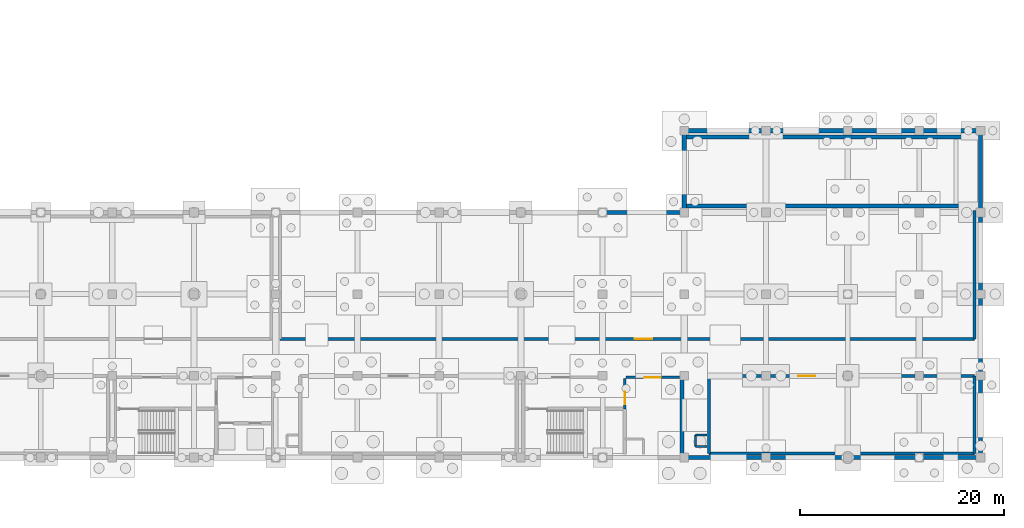
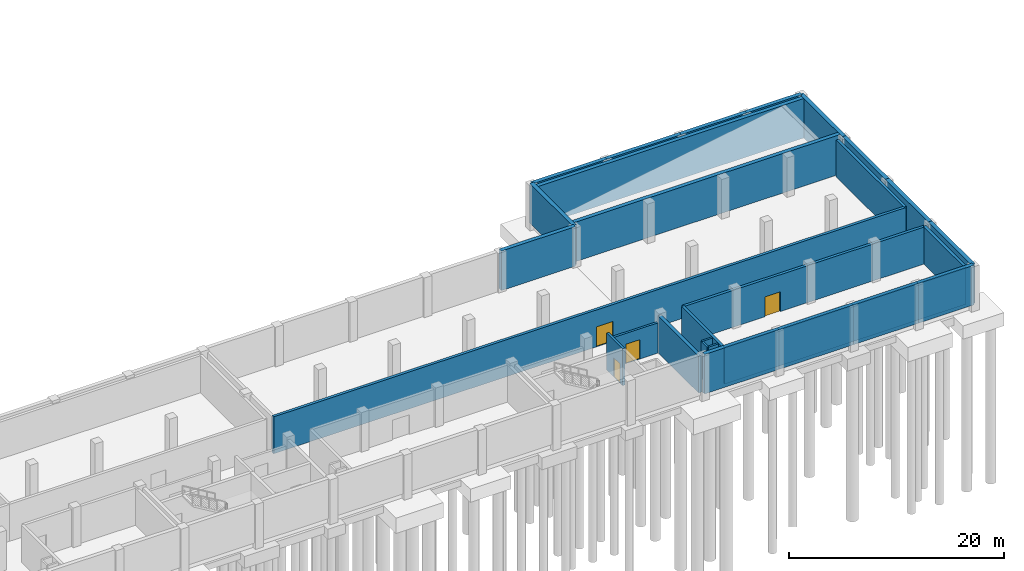
# One storey, part 18 of 26: 28 walls, 4 doors, 4 openings.
"""IFC4 building model written with IfcOpenShell, lengths in metres."""

from ifc_helpers import new_model, si_unit, direction, frame, frame_2d, origin, place, context, subcontext, project, spatial, rectangle, extrude, material, layer, layer_set, type_object, element, fill, save


model = new_model("IFC4")

# Units and contexts
model_context = context("Model", 3, precision=1e-05, world=origin(), true_north=direction((0.0, 1.0)))
body_context = subcontext(model_context, "Body", "Model", "MODEL_VIEW")
ifc_project = project(units=[si_unit("LENGTHUNIT", "METRE"), si_unit("AREAUNIT", "SQUARE_METRE"), si_unit("VOLUMEUNIT", "CUBIC_METRE"), si_unit("PLANEANGLEUNIT", "RADIAN"), si_unit("MASSUNIT", "GRAM", prefix="KILO")], contexts=[model_context])

# Site, building, storey
site_placement = place(None, origin())
site = spatial("IfcSite", under=ifc_project, at=site_placement, CompositionType="ELEMENT")
building_placement = place(site_placement, origin())
building = spatial("IfcBuilding", under=site, at=building_placement, Name="Qorikala Patio Media Centre", CompositionType="ELEMENT")
storey_placement = place(building_placement, frame((0.0, 0.0, -4.5)))
storey = spatial("IfcBuildingStorey", under=building, at=storey_placement, Name="B1", CompositionType="ELEMENT", Elevation=-4.5)

# Wall, opening, door
ifc_material_1 = material(Name="Concrete C35/45", Category="concrete")
ifc_layer_1 = layer(ifc_material_1, 0.300048828125)
ifc_layer_set_1 = layer_set([ifc_layer_1], Name="Concrete C35/45")
wall_type_1 = type_object("IfcWallType", Name="WL-AC-300", PredefinedType="SHEAR", material=ifc_layer_set_1)
wall_1_placement = place(storey_placement, frame((98.39990234375, 14.60009765625, 0.0), z_axis=(0.0, 0.0, 1.0), x_axis=(1.0, 0.0, 0.0)))
wall_1 = element("IfcWall", 1, at=wall_1_placement, inside=storey, type_object=wall_type_1, Name="B1 Interior Wall WINT-B1-CPK-S", PredefinedType="SHEAR", context=body_context, shape_type="SweptSolid", body=[
    extrude(rectangle(XDim=68.0, YDim=0.300048828125, at=frame_2d((34.0, 0.0))), origin(), (0.0, 0.0, 1.0), 4.199951171875),
])
opening_1_placement = place(wall_1_placement, frame((34.72607421875, 0.0, 0.0)))
opening_1 = element("IfcOpeningElement", 2, at=opening_1_placement, cuts=wall_1, Name="Opening D226", PredefinedType="OPENING", context=body_context, shape_type="SweptSolid", body=[
    extrude(rectangle(XDim=1.75, YDim=2.280029296875, at=frame_2d((0.875, 1.14013671875))), frame((0.0, 0.159912109375, 0.0), z_axis=(0.0, -1.0, 0.0), x_axis=(1.0, 0.0, 0.0)), (0.0, 0.0, 1.0), 0.320068359375),
])
ifc_material_2 = material(Name="Powder-Coated Acoustic Fire Steel", Category="steel")
door_type_1 = type_object("IfcDoorType", Name="DR-FD60-175X228", OperationType="DOUBLE_DOOR_SINGLE_SWING", PredefinedType="DOOR", material=ifc_material_2)
door_1_placement = place(opening_1_placement, origin())
door_1 = element("IfcDoor", 3, at=door_1_placement, inside=storey, type_object=door_type_1, Name="Continuous Two-Way Broadcast Car Park Loop and 20 Bays Door 015", OperationType="DOUBLE_DOOR_SINGLE_SWING", OverallHeight=2.280029296875, OverallWidth=1.75, PredefinedType="DOOR", context=body_context, shape_type="SweptSolid", body=[
    extrude(rectangle(XDim=1.75, YDim=2.280029296875, at=frame_2d((0.875, 1.14013671875))), frame((0.0, 0.02490234375, 0.0), z_axis=(0.0, -1.0, 0.0), x_axis=(1.0, 0.0, 0.0)), (0.0, 0.0, 1.0), 0.050048828125),
])
fill(opening_1, door_1)

# Walls
wall_2_placement = place(storey_placement, frame((166.39990234375, 14.60009765625, 0.0), z_axis=(0.0, 0.0, 1.0), x_axis=(0.0, 1.0, 0.0)))
element("IfcWall", 4, at=wall_2_placement, inside=storey, type_object=wall_type_1, Name="B1 Interior Wall WINT-B1-CPK-E", PredefinedType="SHEAR", context=body_context, shape_type="SweptSolid", body=[
    extrude(rectangle(XDim=12.599853515625, YDim=0.300048828125, at=frame_2d((6.2998046875, 0.0))), origin(), (0.0, 0.0, 1.0), 4.199951171875),
])
wall_3_placement = place(storey_placement, frame((140.39990234375, 3.39990234375, 0.0), z_axis=(0.0, 0.0, 1.0), x_axis=(1.0, 0.0, 0.0)))
element("IfcWall", 5, at=wall_3_placement, inside=storey, type_object=wall_type_1, Name="B1 Interior Wall WINT-B1-PMP1-S", PredefinedType="SHEAR", context=body_context, shape_type="SweptSolid", body=[
    extrude(rectangle(XDim=26.0, YDim=0.300048828125, at=frame_2d((13.0, 0.0))), origin(), (0.0, 0.0, 1.0), 4.199951171875),
])
wall_4_placement = place(storey_placement, frame((166.39990234375, 3.39990234375, 0.0), z_axis=(0.0, 0.0, 1.0), x_axis=(0.0, 1.0, 0.0)))
element("IfcWall", 6, at=wall_4_placement, inside=storey, type_object=wall_type_1, Name="B1 Interior Wall WINT-B1-PMP1-E", PredefinedType="SHEAR", context=body_context, shape_type="SweptSolid", body=[
    extrude(rectangle(XDim=7.60009765625, YDim=0.300048828125, at=frame_2d((3.800048828125, 0.0))), origin(), (0.0, 0.0, 1.0), 4.199951171875),
])

# Wall, opening, door
wall_5_placement = place(storey_placement, frame((140.39990234375, 11.0, 0.0), z_axis=(0.0, 0.0, 1.0), x_axis=(1.0, 0.0, 0.0)))
wall_5 = element("IfcWall", 7, at=wall_5_placement, inside=storey, type_object=wall_type_1, Name="B1 Interior Wall WINT-B1-PMP1-N", PredefinedType="SHEAR", context=body_context, shape_type="SweptSolid", body=[
    extrude(rectangle(XDim=26.0, YDim=0.300048828125, at=frame_2d((13.0, 0.0))), origin(), (0.0, 0.0, 1.0), 4.199951171875),
])
opening_2_placement = place(wall_5_placement, frame((8.7529296875, 0.0, 0.0)))
opening_2 = element("IfcOpeningElement", 8, at=opening_2_placement, cuts=wall_5, Name="Opening D227", PredefinedType="OPENING", context=body_context, shape_type="SweptSolid", body=[
    extrude(rectangle(XDim=1.64990234375, YDim=2.25, at=frame_2d((0.824951171875, 1.125))), frame((0.0, 0.159912109375, 0.0), z_axis=(0.0, -1.0, 0.0), x_axis=(1.0, 0.0, 0.0)), (0.0, 0.0, 1.0), 0.320068359375),
])
door_type_2 = type_object("IfcDoorType", Name="DR-FD60-165X225", OperationType="DOUBLE_DOOR_SINGLE_SWING", PredefinedType="DOOR", material=ifc_material_2)
door_2_placement = place(opening_2_placement, origin())
door_2 = element("IfcDoor", 9, at=door_2_placement, inside=storey, type_object=door_type_2, Name="Rainwater Cistern and Fire Pump Room Door 016", OperationType="DOUBLE_DOOR_SINGLE_SWING", OverallHeight=2.25, OverallWidth=1.64990234375, PredefinedType="DOOR", context=body_context, shape_type="SweptSolid", body=[
    extrude(rectangle(XDim=1.64990234375, YDim=2.25, at=frame_2d((0.824951171875, 1.125))), frame((0.0, 0.02490234375, 0.0), z_axis=(0.0, -1.0, 0.0), x_axis=(1.0, 0.0, 0.0)), (0.0, 0.0, 1.0), 0.050048828125),
])
fill(opening_2, door_2)

# Walls
wall_6_placement = place(storey_placement, frame((140.39990234375, 3.39990234375, 0.0), z_axis=(0.0, 0.0, 1.0), x_axis=(0.0, 1.0, 0.0)))
element("IfcWall", 10, at=wall_6_placement, inside=storey, type_object=wall_type_1, Name="B1 Interior Wall WINT-B1-PMP1-W", PredefinedType="SHEAR", context=body_context, shape_type="SweptSolid", body=[
    extrude(rectangle(XDim=7.60009765625, YDim=0.300048828125, at=frame_2d((3.800048828125, 0.0))), origin(), (0.0, 0.0, 1.0), 4.199951171875),
])
ifc_layer_2 = layer(ifc_material_1, 0.35009765625)
ifc_layer_set_2 = layer_set([ifc_layer_2], Name="Concrete C35/45")
wall_type_2 = type_object("IfcWallType", Name="WL-CORE-350", PredefinedType="SHEAR", material=ifc_layer_set_2)
wall_7_placement = place(storey_placement, frame((137.77490234375, 3.199951171875, 0.0), z_axis=(0.0, 0.0, 1.0), x_axis=(0.0, 1.0, 0.0)))
element("IfcWall", 11, at=wall_7_placement, inside=storey, type_object=wall_type_2, Name="B1 Interior Wall CW-B1-C7-EE", PredefinedType="SHEAR", context=body_context, shape_type="SweptSolid", body=[
    extrude(rectangle(XDim=7.60009765625, YDim=0.35009765625, at=frame_2d((3.800048828125, 0.0))), origin(), (0.0, 0.0, 1.0), 4.199951171875),
])

# Wall, opening, door
ifc_layer_3 = layer(ifc_material_1, 0.25)
ifc_layer_set_3 = layer_set([ifc_layer_3], Name="Concrete C35/45")
wall_type_3 = type_object("IfcWallType", Name="WL-FFL-250", PredefinedType="PARTITIONING", material=ifc_layer_set_3)
wall_8_placement = place(storey_placement, frame((132.175048828125, 7.77490234375, 0.0), z_axis=(0.0, 0.0, 1.0), x_axis=(0.0, 1.0, 0.0)))
wall_8 = element("IfcWall", 12, at=wall_8_placement, inside=storey, type_object=wall_type_3, Name="B1 Interior Wall CW-B1-C7-LBD", PredefinedType="PARTITIONING", context=body_context, shape_type="SweptSolid", body=[
    extrude(rectangle(XDim=2.97509765625, YDim=0.25, at=frame_2d((1.487548828125, 0.0))), origin(), (0.0, 0.0, 1.0), 4.199951171875),
])
opening_3_placement = place(wall_8_placement, frame((0.449951171875, 0.0, 0.0)))
opening_3 = element("IfcOpeningElement", 13, at=opening_3_placement, cuts=wall_8, Name="Opening D197", PredefinedType="OPENING", context=body_context, shape_type="SweptSolid", body=[
    extrude(rectangle(XDim=1.199951171875, YDim=2.199951171875, at=frame_2d((0.60009765625, 1.10009765625))), frame((0.0, 0.135009765625, 0.0), z_axis=(0.0, -1.0, 0.0), x_axis=(1.0, 0.0, 0.0)), (0.0, 0.0, 1.0), 0.27001953125),
])
ifc_material_3 = material(Name="Acoustic Fire Timber and Steel", Category="steel")
door_type_3 = type_object("IfcDoorType", Name="DR-FD60-120X220", OperationType="NOTDEFINED", PredefinedType="DOOR", material=ifc_material_3)
door_3_placement = place(opening_3_placement, origin())
door_3 = element("IfcDoor", 14, at=door_3_placement, inside=storey, type_object=door_type_3, Name="B1 Core C7 Firefighting Lobby Cross Door", OperationType="SINGLE_SWING_RIGHT", OverallHeight=2.199951171875, OverallWidth=1.199951171875, PredefinedType="DOOR", context=body_context, shape_type="SweptSolid", body=[
    extrude(rectangle(XDim=1.199951171875, YDim=2.199951171875, at=frame_2d((0.60009765625, 1.10009765625))), frame((0.0, 0.02490234375, 0.0), z_axis=(0.0, -1.0, 0.0), x_axis=(1.0, 0.0, 0.0)), (0.0, 0.0, 1.0), 0.050048828125),
])
fill(opening_3, door_3)

wall_9_placement = place(storey_placement, frame((132.300048828125, 10.85009765625, 0.0), z_axis=(0.0, 0.0, 1.0), x_axis=(1.0, 0.0, 0.0)))
wall_9 = element("IfcWall", 15, at=wall_9_placement, inside=storey, type_object=wall_type_3, Name="B1 Interior Wall CW-B1-C7-CN2", PredefinedType="PARTITIONING", context=body_context, shape_type="SweptSolid", body=[
    extrude(rectangle(XDim=5.25, YDim=0.25, at=frame_2d((2.625, 0.0))), origin(), (0.0, 0.0, 1.0), 3.43505859375),
])
opening_4_placement = place(wall_9_placement, frame((1.85009765625, 0.0, 0.0)))
opening_4 = element("IfcOpeningElement", 16, at=opening_4_placement, cuts=wall_9, Name="Opening D199", PredefinedType="OPENING", context=body_context, shape_type="SweptSolid", body=[
    extrude(rectangle(XDim=1.5, YDim=2.199951171875, at=frame_2d((0.75, 1.10009765625))), frame((0.0, 0.135009765625, 0.0), z_axis=(0.0, -1.0, 0.0), x_axis=(1.0, 0.0, 0.0)), (0.0, 0.0, 1.0), 0.27001953125),
])
door_type_4 = type_object("IfcDoorType", Name="DR-FD60-150X220", OperationType="DOUBLE_DOOR_SINGLE_SWING", PredefinedType="DOOR", material=ifc_material_2)
door_4_placement = place(opening_4_placement, origin())
door_4 = element("IfcDoor", 17, at=door_4_placement, inside=storey, type_object=door_type_4, Name="B1 Core C7 Firefighting Lobby Door", OperationType="DOUBLE_DOOR_SINGLE_SWING", OverallHeight=2.199951171875, OverallWidth=1.5, PredefinedType="DOOR", context=body_context, shape_type="SweptSolid", body=[
    extrude(rectangle(XDim=1.5, YDim=2.199951171875, at=frame_2d((0.75, 1.10009765625))), frame((0.0, 0.02490234375, 0.0), z_axis=(0.0, -1.0, 0.0), x_axis=(1.0, 0.0, 0.0)), (0.0, 0.0, 1.0), 0.050048828125),
])
fill(opening_4, door_4)

# Walls
ifc_material_4 = material(Name="Concrete C30/37", Category="concrete")
ifc_layer_4 = layer(ifc_material_4, 0.419921875)
ifc_layer_set_4 = layer_set([ifc_layer_4], Name="Concrete C30/37")
wall_type_4 = type_object("IfcWallType", Name="WL-RET-420", PredefinedType="USERDEFINED", material=ifc_layer_set_4)
for number, where, z_axis, x_axis, name in (
    (18, (130.0, 27.0, 0.0), (0.0, 0.0, 1.0), (1.0, 0.0, 0.0), "B1 Perimeter Retaining Wall WL-B1-RET-005"),
    (19, (138.0, 27.0, 0.0), (0.0, 0.0, 1.0), (0.0, 1.0, 0.0), "B1 Perimeter Retaining Wall WL-B1-RET-006"),
    (20, (138.0, 35.0, 0.0), (0.0, 0.0, 1.0), (1.0, 0.0, 0.0), "B1 Perimeter Retaining Wall WL-B1-RET-007"),
    (21, (146.0, 35.0, 0.0), (0.0, 0.0, 1.0), (1.0, 0.0, 0.0), "B1 Perimeter Retaining Wall WL-B1-RET-008"),
):
    element("IfcWall", number, at=place(storey_placement, frame(where, z_axis=z_axis, x_axis=x_axis)), inside=storey, type_object=wall_type_4, Name=name, ObjectType="RETAINING WALL", PredefinedType="USERDEFINED", context=body_context, shape_type="SweptSolid", body=[
        extrude(rectangle(XDim=8.0, YDim=0.419921875, at=frame_2d((4.0, 0.0))), origin(), (0.0, 0.0, 1.0), 4.5),
    ])
wall_10_placement = place(storey_placement, frame((154.0, 35.0, 0.0), z_axis=(0.0, 0.0, 1.0), x_axis=(1.0, 0.0, 0.0)))
element("IfcWall", 22, at=wall_10_placement, inside=storey, type_object=wall_type_4, Name="B1 Perimeter Retaining Wall WL-B1-RET-009", ObjectType="RETAINING WALL", PredefinedType="USERDEFINED", context=body_context, shape_type="SweptSolid", body=[
    extrude(rectangle(XDim=7.0, YDim=0.419921875, at=frame_2d((3.5, 0.0))), origin(), (0.0, 0.0, 1.0), 4.5),
])
wall_11_placement = place(storey_placement, frame((161.0, 35.0, 0.0), z_axis=(0.0, 0.0, 1.0), x_axis=(1.0, 0.0, 0.0)))
element("IfcWall", 23, at=wall_11_placement, inside=storey, type_object=wall_type_4, Name="B1 Perimeter Retaining Wall WL-B1-RET-010", ObjectType="RETAINING WALL", PredefinedType="USERDEFINED", context=body_context, shape_type="SweptSolid", body=[
    extrude(rectangle(XDim=6.0, YDim=0.419921875, at=frame_2d((3.0, 0.0))), origin(), (0.0, 0.0, 1.0), 4.5),
])
for number, where, z_axis, x_axis, name in (
    (24, (167.0, 35.0, 0.0), (0.0, 0.0, 1.0), (0.0, -1.0, 0.0), "B1 Perimeter Retaining Wall WL-B1-RET-011"),
    (25, (167.0, 27.0, 0.0), (0.0, 0.0, 1.0), (0.0, -1.0, 0.0), "B1 Perimeter Retaining Wall WL-B1-RET-012"),
    (26, (167.0, 19.0, 0.0), (0.0, 0.0, 1.0), (0.0, -1.0, 0.0), "B1 Perimeter Retaining Wall WL-B1-RET-013"),
    (27, (167.0, 11.0, 0.0), (0.0, 0.0, 1.0), (0.0, -1.0, 0.0), "B1 Perimeter Retaining Wall WL-B1-RET-014"),
):
    element("IfcWall", number, at=place(storey_placement, frame(where, z_axis=z_axis, x_axis=x_axis)), inside=storey, type_object=wall_type_4, Name=name, ObjectType="RETAINING WALL", PredefinedType="USERDEFINED", context=body_context, shape_type="SweptSolid", body=[
        extrude(rectangle(XDim=8.0, YDim=0.419921875, at=frame_2d((4.0, 0.0))), origin(), (0.0, 0.0, 1.0), 4.5),
    ])
wall_12_placement = place(storey_placement, frame((167.0, 3.0, 0.0), z_axis=(0.0, 0.0, 1.0), x_axis=(-1.0, 0.0, 0.0)))
element("IfcWall", 28, at=wall_12_placement, inside=storey, type_object=wall_type_4, Name="B1 Perimeter Retaining Wall WL-B1-RET-015", ObjectType="RETAINING WALL", PredefinedType="USERDEFINED", context=body_context, shape_type="SweptSolid", body=[
    extrude(rectangle(XDim=6.0, YDim=0.419921875, at=frame_2d((3.0, 0.0))), origin(), (0.0, 0.0, 1.0), 4.5),
])
wall_13_placement = place(storey_placement, frame((161.0, 3.0, 0.0), z_axis=(0.0, 0.0, 1.0), x_axis=(-1.0, 0.0, 0.0)))
element("IfcWall", 29, at=wall_13_placement, inside=storey, type_object=wall_type_4, Name="B1 Perimeter Retaining Wall WL-B1-RET-016", ObjectType="RETAINING WALL", PredefinedType="USERDEFINED", context=body_context, shape_type="SweptSolid", body=[
    extrude(rectangle(XDim=7.0, YDim=0.419921875, at=frame_2d((3.5, 0.0))), origin(), (0.0, 0.0, 1.0), 4.5),
])
for number, where, z_axis, x_axis, name in (
    (30, (154.0, 3.0, 0.0), (0.0, 0.0, 1.0), (-1.0, 0.0, 0.0), "B1 Perimeter Retaining Wall WL-B1-RET-017"),
    (31, (146.0, 3.0, 0.0), (0.0, 0.0, 1.0), (-1.0, 0.0, 0.0), "B1 Perimeter Retaining Wall WL-B1-RET-018"),
):
    element("IfcWall", number, at=place(storey_placement, frame(where, z_axis=z_axis, x_axis=x_axis)), inside=storey, type_object=wall_type_4, Name=name, ObjectType="RETAINING WALL", PredefinedType="USERDEFINED", context=body_context, shape_type="SweptSolid", body=[
        extrude(rectangle(XDim=8.0, YDim=0.419921875, at=frame_2d((4.0, 0.0))), origin(), (0.0, 0.0, 1.0), 4.5),
    ])
for number, where, z_axis, x_axis, name in (
    (32, (138.0, 27.6201171875, 0.0), (0.0, 0.0, 1.0), (1.0, 0.0, 0.0), "B1 Vehicle Ramp South Cheek Wall"),
    (33, (138.0, 34.3798828125, 0.0), (0.0, 0.0, 1.0), (1.0, 0.0, 0.0), "B1 Vehicle Ramp North Cheek Wall"),
):
    element("IfcWall", number, at=place(storey_placement, frame(where, z_axis=z_axis, x_axis=x_axis)), inside=storey, type_object=wall_type_4, Name=name, ObjectType="RETAINING WALL", PredefinedType="USERDEFINED", context=body_context, shape_type="SweptSolid", body=[
        extrude(rectangle(XDim=28.800048828125, YDim=0.419921875, at=frame_2d((14.39990234375, 0.0))), origin(), (0.0, 0.0, 1.0), 4.5),
    ])
ifc_material_5 = material(Name="Acoustic Masonry and Plaster Concrete C30/37", Category="masonry")
ifc_layer_5 = layer(ifc_material_5, 0.199951171875)
ifc_layer_set_5 = layer_set([ifc_layer_5], Name="Acoustic Masonry and Plaster Concrete C30/37")
wall_type_5 = type_object("IfcWallType", Name="WL-ST-200", PredefinedType="PARTITIONING", material=ifc_layer_set_5)
for number, where, z_axis, x_axis, name in (
    (34, (139.10009765625, 4.10009765625, 0.0), (0.0, 0.0, 1.0), (1.0, 0.0, 0.0), "B1 Interior Wall RSW-9-B1-S"),
    (35, (139.10009765625, 5.199951171875, 0.0), (0.0, 0.0, 1.0), (1.0, 0.0, 0.0), "B1 Interior Wall RSW-9-B1-N"),
    (36, (139.10009765625, 4.10009765625, 0.0), (0.0, 0.0, 1.0), (0.0, 1.0, 0.0), "B1 Interior Wall RSW-9-B1-W"),
):
    element("IfcWall", number, at=place(storey_placement, frame(where, z_axis=z_axis, x_axis=x_axis)), inside=storey, type_object=wall_type_5, Name=name, PredefinedType="PARTITIONING", context=body_context, shape_type="SweptSolid", body=[
        extrude(rectangle(XDim=1.099853515625, YDim=0.199951171875, at=frame_2d((0.5498046875, 0.0))), origin(), (0.0, 0.0, 1.0), 4.199951171875),
    ])

save(model, "model.ifc")
